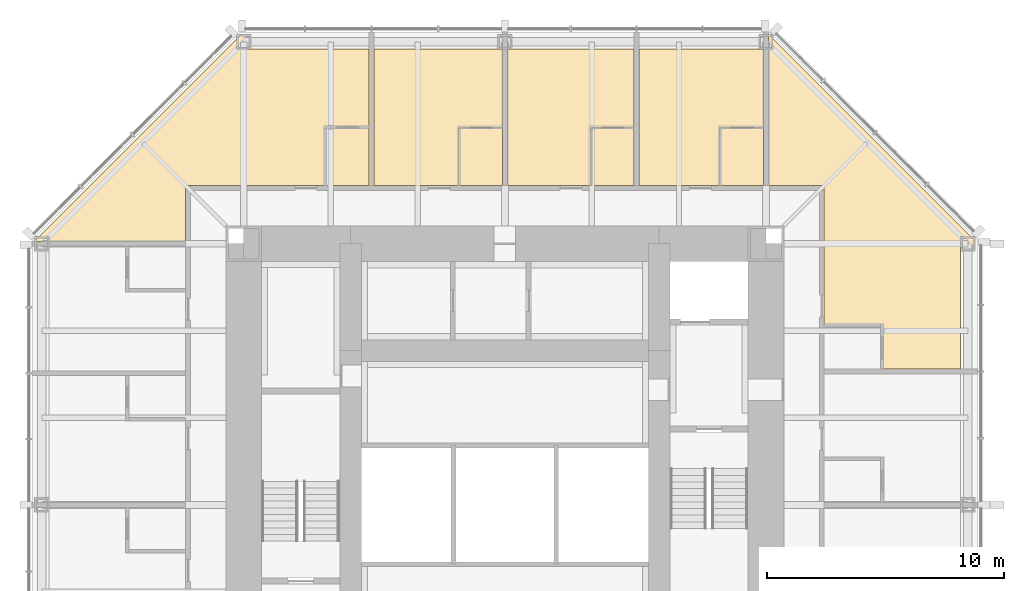
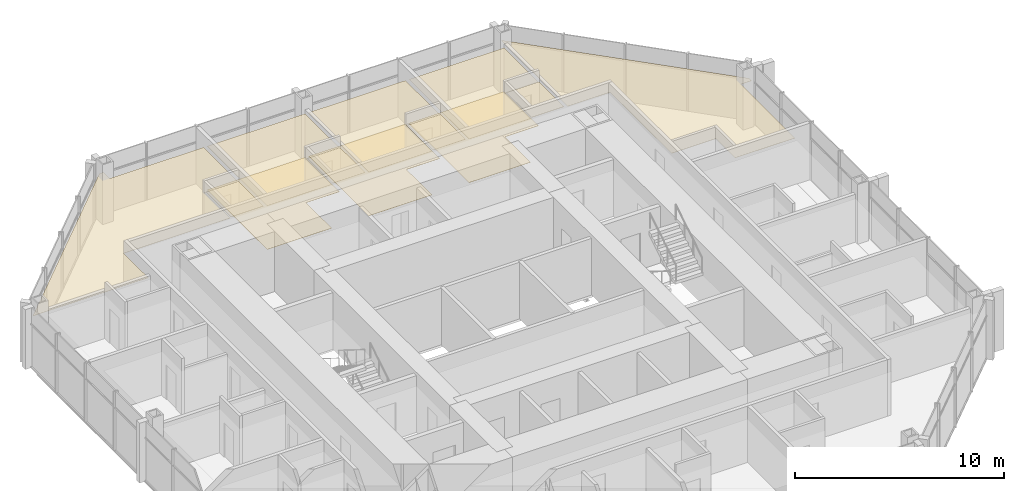
# One storey, part 12 of 12: 12 coverings.
"""IFC4 building model written with IfcOpenShell, lengths in metres."""

from ifc_helpers import new_model, si_unit, direction, frame, origin, place, context, subcontext, project, spatial, polyline, outline, extrude, material, layer, layer_set, type_object, element, save


model = new_model("IFC4")

# Units and contexts
model_context = context("Model", 3, precision=1e-05, world=origin(), true_north=direction((0.0, 1.0)))
body_context = subcontext(model_context, "Body", "Model", "MODEL_VIEW")
ifc_project = project(units=[si_unit("LENGTHUNIT", "METRE"), si_unit("AREAUNIT", "SQUARE_METRE"), si_unit("VOLUMEUNIT", "CUBIC_METRE"), si_unit("PLANEANGLEUNIT", "RADIAN"), si_unit("MASSUNIT", "GRAM", prefix="KILO")], contexts=[model_context])

# Site, building, storey
site_placement = place(None, origin())
site = spatial("IfcSite", under=ifc_project, at=site_placement, CompositionType="ELEMENT")
building_placement = place(site_placement, origin())
building = spatial("IfcBuilding", under=site, at=building_placement, Name="Trevanion Tower", CompositionType="ELEMENT")
storey_placement = place(building_placement, frame((0.0, 0.0, 194.199951171875)))
storey = spatial("IfcBuildingStorey", under=building, at=storey_placement, Name="L45", CompositionType="ELEMENT", Elevation=194.199951171875)

# Coverings
ifc_material_1 = material(Name="Gypsum plasterboard on suspended metal furring", Category="gypsum")
ifc_layer_1 = layer(ifc_material_1, 0.012939453125)
ifc_layer_set_1 = layer_set([ifc_layer_1], Name="CL3 plasterboard ceiling 13")
covering_type_1 = type_object("IfcCoveringType", Name="CL3 plasterboard ceiling 13", PredefinedType="CEILING", material=ifc_layer_set_1)
covering_1_placement = place(storey_placement, frame((0.0, 0.0, 2.551025390625)))
element("IfcCovering", 1, at=covering_1_placement, inside=storey, type_object=covering_type_1, Name="CL3 L45-GR3", PredefinedType="CEILING", context=body_context, shape_type="SweptSolid", body=[
    extrude(outline(polyline([(11.10009765625, 13.449951171875), (11.10009765625, 19.800048828125), (11.124267578125, 19.800048828125), (19.800048828125, 11.124267578125), (19.800048828125, 10.89990234375), (19.199951171875, 10.89990234375), (19.199951171875, 5.714111328125), (15.89990234375, 5.714111328125), (15.89990234375, 7.56396484375), (13.449951171875, 7.56396484375), (13.449951171875, 13.449951171875), (11.10009765625, 13.449951171875)])), origin(), (0.0, 0.0, 1.0), 0.012939453125),
])
covering_2_placement = place(storey_placement, frame((0.0, 0.0, 2.551025390625)))
element("IfcCovering", 2, at=covering_2_placement, inside=storey, type_object=covering_type_1, Name="CL3 L45-GR4", PredefinedType="CEILING", context=body_context, shape_type="SweptSolid", body=[
    extrude(outline(polyline([(5.64892578125, 13.449951171875), (5.64892578125, 19.199951171875), (10.89990234375, 19.199951171875), (10.89990234375, 15.89990234375), (9.050048828125, 15.89990234375), (9.050048828125, 13.449951171875), (5.64892578125, 13.449951171875)])), origin(), (0.0, 0.0, 1.0), 0.012939453125),
])
covering_3_placement = place(storey_placement, frame((0.0, 0.0, 2.551025390625)))
element("IfcCovering", 3, at=covering_3_placement, inside=storey, type_object=covering_type_1, Name="CL3 L45-GR5", PredefinedType="CEILING", context=body_context, shape_type="SweptSolid", body=[
    extrude(outline(polyline([(0.10009765625, 13.449951171875), (0.10009765625, 19.199951171875), (5.448974609375, 19.199951171875), (5.448974609375, 15.89990234375), (3.59912109375, 15.89990234375), (3.59912109375, 13.449951171875), (0.10009765625, 13.449951171875)])), origin(), (0.0, 0.0, 1.0), 0.012939453125),
])
covering_4_placement = place(storey_placement, frame((0.0, 0.0, 2.551025390625)))
element("IfcCovering", 4, at=covering_4_placement, inside=storey, type_object=covering_type_1, Name="CL3 L45-GR6", PredefinedType="CEILING", context=body_context, shape_type="SweptSolid", body=[
    extrude(outline(polyline([(-5.513916015625, 13.449951171875), (-5.513916015625, 19.199951171875), (-0.10009765625, 19.199951171875), (-0.10009765625, 15.89990234375), (-1.949951171875, 15.89990234375), (-1.949951171875, 13.449951171875), (-5.513916015625, 13.449951171875)])), origin(), (0.0, 0.0, 1.0), 0.012939453125),
])
covering_5_placement = place(storey_placement, frame((0.0, 0.0, 2.551025390625)))
element("IfcCovering", 5, at=covering_5_placement, inside=storey, type_object=covering_type_1, Name="CL3 L45-GR7", PredefinedType="CEILING", context=body_context, shape_type="SweptSolid", body=[
    extrude(outline(polyline([(-13.449951171875, 11.10009765625), (-19.800048828125, 11.10009765625), (-19.800048828125, 11.124267578125), (-11.124267578125, 19.800048828125), (-10.89990234375, 19.800048828125), (-10.89990234375, 19.199951171875), (-5.714111328125, 19.199951171875), (-5.714111328125, 15.89990234375), (-7.56396484375, 15.89990234375), (-7.56396484375, 13.449951171875), (-13.449951171875, 13.449951171875), (-13.449951171875, 11.10009765625)])), origin(), (0.0, 0.0, 1.0), 0.012939453125),
])
ifc_material_2 = material(Name="Moisture-resistant gypsum board on suspended metal furring", Category="gypsum")
ifc_layer_2 = layer(ifc_material_2, 0.01611328125)
ifc_layer_set_2 = layer_set([ifc_layer_2], Name="CL4 moisture-resistant board ceiling 16")
covering_type_2 = type_object("IfcCoveringType", Name="CL4 moisture-resistant board ceiling 16", PredefinedType="CEILING", material=ifc_layer_set_2)
covering_6_placement = place(storey_placement, frame((0.0, 0.0, 2.60009765625)))
element("IfcCovering", 6, at=covering_6_placement, inside=storey, type_object=covering_type_2, Name="CL4 L45-EN5", PredefinedType="CEILING", context=body_context, shape_type="SweptSolid", body=[
    extrude(outline(polyline([(10.89990234375, 15.85009765625), (9.10009765625, 15.85009765625), (9.10009765625, 13.449951171875), (10.89990234375, 13.449951171875), (10.89990234375, 15.85009765625)])), origin(), (0.0, 0.0, 1.0), 0.015869140625),
])
covering_7_placement = place(storey_placement, frame((0.0, 0.0, 2.60009765625)))
element("IfcCovering", 7, at=covering_7_placement, inside=storey, type_object=covering_type_2, Name="CL4 L45-EN6", PredefinedType="CEILING", context=body_context, shape_type="SweptSolid", body=[
    extrude(outline(polyline([(5.448974609375, 15.85009765625), (3.64892578125, 15.85009765625), (3.64892578125, 13.449951171875), (5.448974609375, 13.449951171875), (5.448974609375, 15.85009765625)])), origin(), (0.0, 0.0, 1.0), 0.015869140625),
])
covering_8_placement = place(storey_placement, frame((0.0, 0.0, 2.60009765625)))
element("IfcCovering", 8, at=covering_8_placement, inside=storey, type_object=covering_type_2, Name="CL4 L45-EN7", PredefinedType="CEILING", context=body_context, shape_type="SweptSolid", body=[
    extrude(outline(polyline([(-0.10009765625, 15.85009765625), (-1.89990234375, 15.85009765625), (-1.89990234375, 13.449951171875), (-0.10009765625, 13.449951171875), (-0.10009765625, 15.85009765625)])), origin(), (0.0, 0.0, 1.0), 0.015869140625),
])
covering_9_placement = place(storey_placement, frame((0.0, 0.0, 2.60009765625)))
element("IfcCovering", 9, at=covering_9_placement, inside=storey, type_object=covering_type_2, Name="CL4 L45-EN8", PredefinedType="CEILING", context=body_context, shape_type="SweptSolid", body=[
    extrude(outline(polyline([(-5.714111328125, 15.85009765625), (-7.513916015625, 15.85009765625), (-7.513916015625, 13.449951171875), (-5.714111328125, 13.449951171875), (-5.714111328125, 15.85009765625)])), origin(), (0.0, 0.0, 1.0), 0.015869140625),
])
ifc_material_3 = material(Name="Wool carpet on underlay", Category="textile")
ifc_layer_3 = layer(ifc_material_3, 0.011962890625)
ifc_layer_set_3 = layer_set([ifc_layer_3], Name="FF2 carpet flooring")
covering_type_3 = type_object("IfcCoveringType", Name="FF2 carpet flooring", PredefinedType="FLOORING", material=ifc_layer_set_3)
covering_10_placement = place(storey_placement, origin())
element("IfcCovering", 10, at=covering_10_placement, inside=storey, type_object=covering_type_3, Name="FF2 L45-GR4", PredefinedType="FLOORING", context=body_context, shape_type="SweptSolid", body=[
    extrude(outline(polyline([(5.64892578125, 13.449951171875), (5.64892578125, 19.199951171875), (10.89990234375, 19.199951171875), (10.89990234375, 15.89990234375), (9.050048828125, 15.89990234375), (9.050048828125, 13.449951171875), (5.64892578125, 13.449951171875)])), origin(), (0.0, 0.0, 1.0), 0.011962890625),
])
covering_11_placement = place(storey_placement, origin())
element("IfcCovering", 11, at=covering_11_placement, inside=storey, type_object=covering_type_3, Name="FF2 L45-GR5", PredefinedType="FLOORING", context=body_context, shape_type="SweptSolid", body=[
    extrude(outline(polyline([(0.10009765625, 13.449951171875), (0.10009765625, 19.199951171875), (5.448974609375, 19.199951171875), (5.448974609375, 15.89990234375), (3.59912109375, 15.89990234375), (3.59912109375, 13.449951171875), (0.10009765625, 13.449951171875)])), origin(), (0.0, 0.0, 1.0), 0.011962890625),
])
covering_12_placement = place(storey_placement, origin())
element("IfcCovering", 12, at=covering_12_placement, inside=storey, type_object=covering_type_3, Name="FF2 L45-GR6", PredefinedType="FLOORING", context=body_context, shape_type="SweptSolid", body=[
    extrude(outline(polyline([(-5.513916015625, 13.449951171875), (-5.513916015625, 19.199951171875), (-0.10009765625, 19.199951171875), (-0.10009765625, 15.89990234375), (-1.949951171875, 15.89990234375), (-1.949951171875, 13.449951171875), (-5.513916015625, 13.449951171875)])), origin(), (0.0, 0.0, 1.0), 0.011962890625),
])

save(model, "model.ifc")
